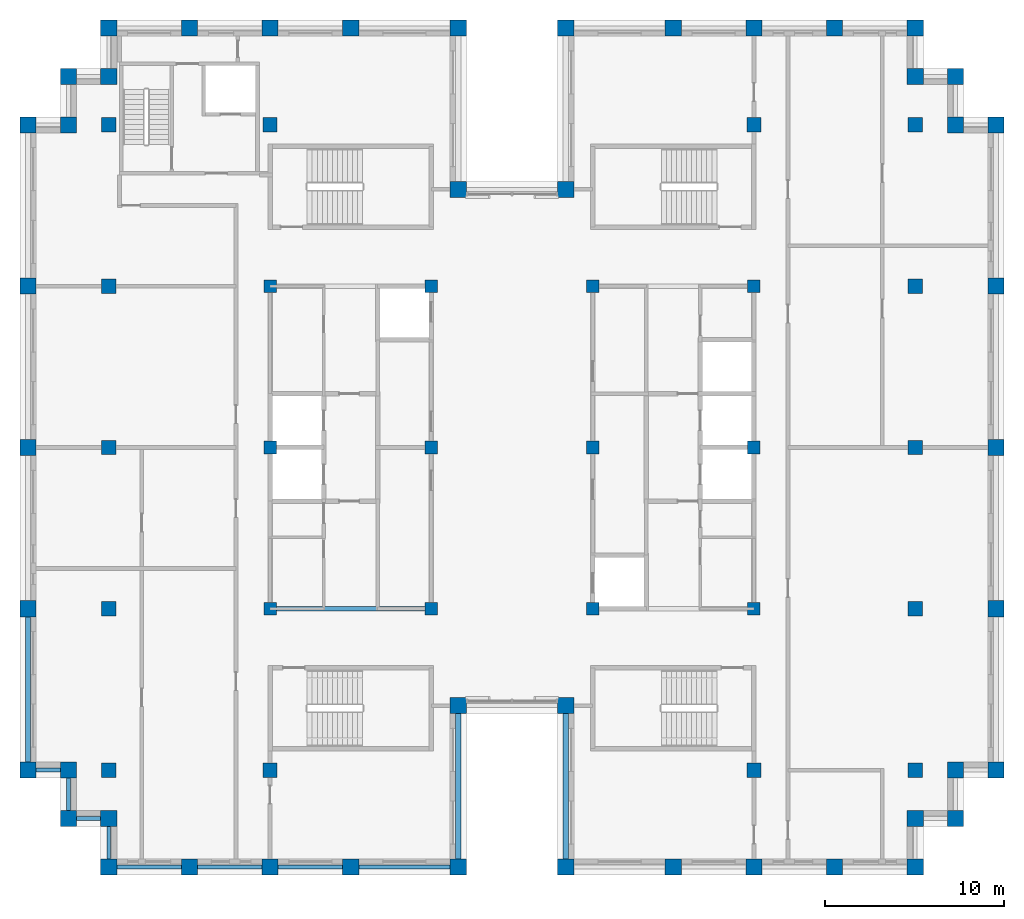
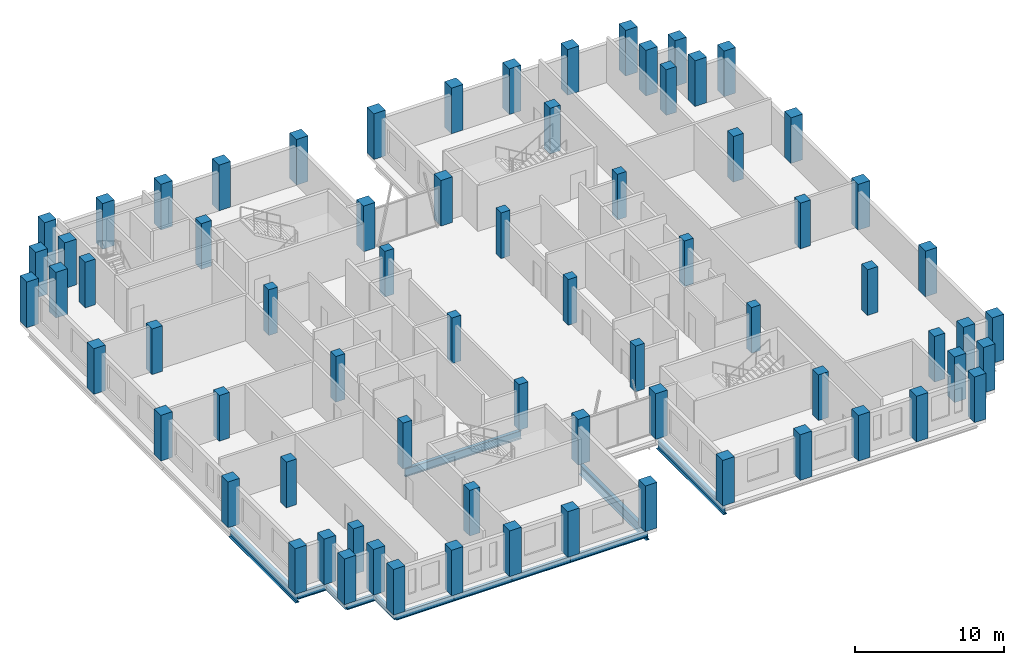
# One storey, part 1 of 13: 72 columns, 12 beams.
"""IFC4 building model written with IfcOpenShell, lengths in metres."""

from ifc_helpers import new_model, si_unit, direction, frame, origin, origin_2d, place, context, subcontext, project, spatial, rectangle, i_section, extrude, material, material_profile, profile_set, type_object, element, save


model = new_model("IFC4")

# Units and contexts
model_context = context("Model", 3, precision=1e-05, world=origin(), true_north=direction((0.0, 1.0)))
body_context = subcontext(model_context, "Body", "Model", "MODEL_VIEW")
ifc_project = project(units=[si_unit("LENGTHUNIT", "METRE"), si_unit("AREAUNIT", "SQUARE_METRE"), si_unit("VOLUMEUNIT", "CUBIC_METRE"), si_unit("PLANEANGLEUNIT", "RADIAN"), si_unit("MASSUNIT", "GRAM", prefix="KILO")], contexts=[model_context])

# Site, building, storey
site_placement = place(None, origin())
site = spatial("IfcSite", under=ifc_project, at=site_placement, CompositionType="ELEMENT")
building_placement = place(site_placement, origin())
building = spatial("IfcBuilding", under=site, at=building_placement, Name="Corbelhall Arena Tower", CompositionType="ELEMENT")
storey_placement = place(building_placement, frame((0.0, 0.0, 312.0)))
storey = spatial("IfcBuildingStorey", under=building, at=storey_placement, Name="L68", CompositionType="ELEMENT", Elevation=312.0)

# Columns
ifc_material_1 = material(Name="Concrete C80/95", Category="concrete")
ifc_material_profile_1 = material_profile(ifc_material_1, rectangle(XDim=0.699951171875, YDim=0.699951171875, at=origin_2d()))
ifc_profile_set_1 = profile_set([ifc_material_profile_1], Name="Concrete C80/95")
column_type_1 = type_object("IfcColumnType", Name="ST-COL-RC 700x700", PredefinedType="COLUMN", material=ifc_profile_set_1)
for number, where, z_axis, x_axis, name in (
    (1, (4.5, 0.0, 0.0), (0.0, 0.0, 1.0), (1.0, 0.0, 0.0), "Column KE+0450+0000"),
    (2, (4.5, 9.0, 0.0), (0.0, 0.0, 1.0), (1.0, 0.0, 0.0), "Column KE+0450+0900"),
    (3, (4.5, -9.0, 0.0), (0.0, 0.0, 1.0), (1.0, 0.0, 0.0), "Column KE+0450-0900"),
    (4, (13.5, 0.0, 0.0), (0.0, 0.0, 1.0), (1.0, 0.0, 0.0), "Column KE+1350+0000"),
    (5, (13.5, 9.0, 0.0), (0.0, 0.0, 1.0), (1.0, 0.0, 0.0), "Column KE+1350+0900"),
    (6, (13.5, -9.0, 0.0), (0.0, 0.0, 1.0), (1.0, 0.0, 0.0), "Column KE+1350-0900"),
    (7, (-4.5, 0.0, 0.0), (0.0, 0.0, 1.0), (1.0, 0.0, 0.0), "Column KW-0450+0000"),
    (8, (-4.5, 9.0, 0.0), (0.0, 0.0, 1.0), (1.0, 0.0, 0.0), "Column KW-0450+0900"),
    (9, (-4.5, -9.0, 0.0), (0.0, 0.0, 1.0), (1.0, 0.0, 0.0), "Column KW-0450-0900"),
    (10, (-13.5, 0.0, 0.0), (0.0, 0.0, 1.0), (1.0, 0.0, 0.0), "Column KW-1350+0000"),
    (11, (-13.5, 9.0, 0.0), (0.0, 0.0, 1.0), (1.0, 0.0, 0.0), "Column KW-1350+0900"),
    (12, (-13.5, -9.0, 0.0), (0.0, 0.0, 1.0), (1.0, 0.0, 0.0), "Column KW-1350-0900"),
):
    element("IfcColumn", number, at=place(storey_placement, frame(where, z_axis=z_axis, x_axis=x_axis)), inside=storey, type_object=column_type_1, Name=name, PredefinedType="COLUMN", context=body_context, shape_type="SweptSolid", body=[
        extrude(rectangle(XDim=0.699951171875, YDim=0.699951171875, at=origin_2d()), origin(), (0.0, 0.0, 1.0), 3.739990234375),
    ])
ifc_material_profile_2 = material_profile(ifc_material_1, rectangle(XDim=0.800048828125, YDim=0.800048828125, at=origin_2d()))
ifc_profile_set_2 = profile_set([ifc_material_profile_2], Name="Concrete C80/95")
column_type_2 = type_object("IfcColumnType", Name="ST-COL-RC 800x800", PredefinedType="COLUMN", material=ifc_profile_set_2)
for number, where, z_axis, x_axis, name in (
    (13, (13.5, 18.0, 0.0), (0.0, 0.0, 1.0), (1.0, 0.0, 0.0), "Column IE13+1800"),
    (14, (13.5, -18.0, 0.0), (0.0, 0.0, 1.0), (1.0, 0.0, 0.0), "Column IE13-1800"),
    (15, (22.5, 0.0, 0.0), (0.0, 0.0, 1.0), (1.0, 0.0, 0.0), "Column IE22+0000"),
    (16, (22.5, 9.0, 0.0), (0.0, 0.0, 1.0), (1.0, 0.0, 0.0), "Column IE22+0900"),
    (17, (22.5, 18.0, 0.0), (0.0, 0.0, 1.0), (1.0, 0.0, 0.0), "Column IE22+1800"),
    (18, (22.5, -9.0, 0.0), (0.0, 0.0, 1.0), (1.0, 0.0, 0.0), "Column IE22-0900"),
    (19, (22.5, -18.0, 0.0), (0.0, 0.0, 1.0), (1.0, 0.0, 0.0), "Column IE22-1800"),
    (20, (-13.5, 18.0, 0.0), (0.0, 0.0, 1.0), (1.0, 0.0, 0.0), "Column IW13+1800"),
    (21, (-13.5, -18.0, 0.0), (0.0, 0.0, 1.0), (1.0, 0.0, 0.0), "Column IW13-1800"),
    (22, (-22.5, 0.0, 0.0), (0.0, 0.0, 1.0), (1.0, 0.0, 0.0), "Column IW22+0000"),
    (23, (-22.5, 9.0, 0.0), (0.0, 0.0, 1.0), (1.0, 0.0, 0.0), "Column IW22+0900"),
    (24, (-22.5, 18.0, 0.0), (0.0, 0.0, 1.0), (1.0, 0.0, 0.0), "Column IW22+1800"),
    (25, (-22.5, -9.0, 0.0), (0.0, 0.0, 1.0), (1.0, 0.0, 0.0), "Column IW22-0900"),
    (26, (-22.5, -18.0, 0.0), (0.0, 0.0, 1.0), (1.0, 0.0, 0.0), "Column IW22-1800"),
):
    element("IfcColumn", number, at=place(storey_placement, frame(where, z_axis=z_axis, x_axis=x_axis)), inside=storey, type_object=column_type_2, Name=name, PredefinedType="COLUMN", context=body_context, shape_type="SweptSolid", body=[
        extrude(rectangle(XDim=0.800048828125, YDim=0.800048828125, at=origin_2d()), origin(), (0.0, 0.0, 1.0), 3.739990234375),
    ])
ifc_material_profile_3 = material_profile(ifc_material_1, rectangle(XDim=0.89990234375, YDim=0.89990234375, at=origin_2d()))
ifc_profile_set_3 = profile_set([ifc_material_profile_3], Name="Concrete C80/95")
column_type_3 = type_object("IfcColumnType", Name="ST-COL-RC 900x900", PredefinedType="COLUMN", material=ifc_profile_set_3)
for number, where, z_axis, x_axis, name in (
    (27, (27.0, 0.0, 0.0), (0.0, 0.0, 1.0), (0.0, 1.0, 0.0), "Column PE+0000"),
    (28, (27.0, 9.0, 0.0), (0.0, 0.0, 1.0), (0.0, 1.0, 0.0), "Column PE+0900"),
    (29, (27.0, 18.0, 0.0), (0.0, 0.0, 1.0), (0.0, 1.0, 0.0), "Column PE+1800"),
    (30, (27.0, -9.0, 0.0), (0.0, 0.0, 1.0), (0.0, 1.0, 0.0), "Column PE-0900"),
    (31, (27.0, -18.0, 0.0), (0.0, 0.0, 1.0), (0.0, 1.0, 0.0), "Column PE-1800"),
    (32, (3.0, 23.39990234375, 0.0), (0.0, 0.0, 1.0), (1.0, 0.0, 0.0), "Column PNE0300"),
    (33, (9.0, 23.39990234375, 0.0), (0.0, 0.0, 1.0), (1.0, 0.0, 0.0), "Column PNE0900"),
    (34, (13.5, 23.39990234375, 0.0), (0.0, 0.0, 1.0), (1.0, 0.0, 0.0), "Column PNE1350"),
    (35, (18.0, 23.39990234375, 0.0), (0.0, 0.0, 1.0), (1.0, 0.0, 0.0), "Column PNE1800"),
    (36, (22.5, 23.39990234375, 0.0), (0.0, 0.0, 1.0), (1.0, 0.0, 0.0), "Column PNE2250"),
    (37, (-3.0, 23.39990234375, 0.0), (0.0, 0.0, 1.0), (1.0, 0.0, 0.0), "Column PNW0300"),
    (38, (-9.0, 23.39990234375, 0.0), (0.0, 0.0, 1.0), (1.0, 0.0, 0.0), "Column PNW0900"),
    (39, (-13.5, 23.39990234375, 0.0), (0.0, 0.0, 1.0), (1.0, 0.0, 0.0), "Column PNW1350"),
    (40, (-18.0, 23.39990234375, 0.0), (0.0, 0.0, 1.0), (1.0, 0.0, 0.0), "Column PNW1800"),
    (41, (-22.5, 23.39990234375, 0.0), (0.0, 0.0, 1.0), (1.0, 0.0, 0.0), "Column PNW2250"),
    (42, (3.0, -23.39990234375, 0.0), (0.0, 0.0, 1.0), (1.0, 0.0, 0.0), "Column PSE0300"),
    (43, (9.0, -23.39990234375, 0.0), (0.0, 0.0, 1.0), (1.0, 0.0, 0.0), "Column PSE0900"),
    (44, (13.5, -23.39990234375, 0.0), (0.0, 0.0, 1.0), (1.0, 0.0, 0.0), "Column PSE1350"),
    (45, (18.0, -23.39990234375, 0.0), (0.0, 0.0, 1.0), (1.0, 0.0, 0.0), "Column PSE1800"),
    (46, (22.5, -23.39990234375, 0.0), (0.0, 0.0, 1.0), (1.0, 0.0, 0.0), "Column PSE2250"),
    (47, (-3.0, -23.39990234375, 0.0), (0.0, 0.0, 1.0), (1.0, 0.0, 0.0), "Column PSW0300"),
    (48, (-9.0, -23.39990234375, 0.0), (0.0, 0.0, 1.0), (1.0, 0.0, 0.0), "Column PSW0900"),
    (49, (-13.5, -23.39990234375, 0.0), (0.0, 0.0, 1.0), (1.0, 0.0, 0.0), "Column PSW1350"),
    (50, (-18.0, -23.39990234375, 0.0), (0.0, 0.0, 1.0), (1.0, 0.0, 0.0), "Column PSW1800"),
    (51, (-22.5, -23.39990234375, 0.0), (0.0, 0.0, 1.0), (1.0, 0.0, 0.0), "Column PSW2250"),
    (52, (-27.0, 0.0, 0.0), (0.0, 0.0, 1.0), (0.0, 1.0, 0.0), "Column PW+0000"),
    (53, (-27.0, 9.0, 0.0), (0.0, 0.0, 1.0), (0.0, 1.0, 0.0), "Column PW+0900"),
    (54, (-27.0, 18.0, 0.0), (0.0, 0.0, 1.0), (0.0, 1.0, 0.0), "Column PW+1800"),
    (55, (-27.0, -9.0, 0.0), (0.0, 0.0, 1.0), (0.0, 1.0, 0.0), "Column PW-0900"),
    (56, (-27.0, -18.0, 0.0), (0.0, 0.0, 1.0), (0.0, 1.0, 0.0), "Column PW-1800"),
    (57, (3.0, 14.39990234375, 0.0), (0.0, 0.0, 1.0), (1.0, 0.0, 0.0), "Column SLNE2"),
    (58, (-3.0, 14.39990234375, 0.0), (0.0, 0.0, 1.0), (1.0, 0.0, 0.0), "Column SLNW2"),
    (59, (3.0, -14.39990234375, 0.0), (0.0, 0.0, 1.0), (1.0, 0.0, 0.0), "Column SLSE2"),
    (60, (-3.0, -14.39990234375, 0.0), (0.0, 0.0, 1.0), (1.0, 0.0, 0.0), "Column SLSW2"),
    (61, (22.5, 20.699951171875, 0.0), (0.0, 0.0, 1.0), (1.0, 0.0, 0.0), "Column XNE1"),
    (62, (24.75, 20.699951171875, 0.0), (0.0, 0.0, 1.0), (1.0, 0.0, 0.0), "Column XNE2"),
    (63, (24.75, 18.0, 0.0), (0.0, 0.0, 1.0), (1.0, 0.0, 0.0), "Column XNE3"),
    (64, (-22.5, 20.699951171875, 0.0), (0.0, 0.0, 1.0), (1.0, 0.0, 0.0), "Column XNW1"),
    (65, (-24.75, 20.699951171875, 0.0), (0.0, 0.0, 1.0), (1.0, 0.0, 0.0), "Column XNW2"),
    (66, (-24.75, 18.0, 0.0), (0.0, 0.0, 1.0), (1.0, 0.0, 0.0), "Column XNW3"),
    (67, (22.5, -20.699951171875, 0.0), (0.0, 0.0, 1.0), (1.0, 0.0, 0.0), "Column XSE1"),
    (68, (24.75, -20.699951171875, 0.0), (0.0, 0.0, 1.0), (1.0, 0.0, 0.0), "Column XSE2"),
    (69, (24.75, -18.0, 0.0), (0.0, 0.0, 1.0), (1.0, 0.0, 0.0), "Column XSE3"),
    (70, (-22.5, -20.699951171875, 0.0), (0.0, 0.0, 1.0), (1.0, 0.0, 0.0), "Column XSW1"),
    (71, (-24.75, -20.699951171875, 0.0), (0.0, 0.0, 1.0), (1.0, 0.0, 0.0), "Column XSW2"),
    (72, (-24.75, -18.0, 0.0), (0.0, 0.0, 1.0), (1.0, 0.0, 0.0), "Column XSW3"),
):
    element("IfcColumn", number, at=place(storey_placement, frame(where, z_axis=z_axis, x_axis=x_axis)), inside=storey, type_object=column_type_3, Name=name, PredefinedType="COLUMN", context=body_context, shape_type="SweptSolid", body=[
        extrude(rectangle(XDim=0.89990234375, YDim=0.89990234375, at=origin_2d()), origin(), (0.0, 0.0, 1.0), 3.739990234375),
    ])

# Beams
ifc_material_2 = material(Name="Steel ASTM A992 Gr50", Category="steel")
ifc_material_profile_4 = material_profile(ifc_material_2, i_section(OverallWidth=0.25390625, OverallDepth=0.67822265625, WebThickness=0.01171875, FlangeThickness=0.016357421875, at=origin_2d()))
ifc_profile_set_4 = profile_set([ifc_material_profile_4], Name="Steel ASTM A992 Gr50")
beam_type_1 = type_object("IfcBeamType", Name="ST-BEAM-W27x84", PredefinedType="BEAM", material=ifc_profile_set_4)
beam_1_placement = place(storey_placement, frame((-13.5, -9.0, -0.59912109375), z_axis=(1.0, 0.0, 0.0), x_axis=(0.0, 1.0, 0.0)))
element("IfcBeam", 73, at=beam_1_placement, inside=storey, type_object=beam_type_1, Name="Beam CEW 5", PredefinedType="BEAM", context=body_context, shape_type="SweptSolid", body=[
    extrude(i_section(OverallWidth=0.25390625, OverallDepth=0.67822265625, WebThickness=0.01171875, FlangeThickness=0.016357421875, at=origin_2d()), origin(), (0.0, 0.0, 1.0), 9.0),
])
ifc_material_profile_5 = material_profile(ifc_material_2, i_section(OverallWidth=0.209228515625, OverallDepth=0.533447265625, WebThickness=0.01025390625, FlangeThickness=0.015625, at=origin_2d()))
ifc_profile_set_5 = profile_set([ifc_material_profile_5], Name="Steel ASTM A992 Gr50")
beam_type_2 = type_object("IfcBeamType", Name="ST-SPANDREL-W21x62", PredefinedType="SPANDREL", material=ifc_profile_set_5)
beam_2_placement = place(storey_placement, frame((-3.0, -23.39990234375, -0.526611328125), z_axis=(-1.0, 0.0, 0.0), x_axis=(0.0, -1.0, 0.0)))
element("IfcBeam", 74, at=beam_2_placement, inside=storey, type_object=beam_type_2, Name="Beam SP 21", PredefinedType="SPANDREL", context=body_context, shape_type="SweptSolid", body=[
    extrude(i_section(OverallWidth=0.209228515625, OverallDepth=0.533447265625, WebThickness=0.01025390625, FlangeThickness=0.015625, at=origin_2d()), origin(), (0.0, 0.0, 1.0), 6.0),
])
for number, where, z_axis, x_axis, name in (
    (75, (-9.0, -23.39990234375, -0.526611328125), (-1.0, 0.0, 0.0), (0.0, -1.0, 0.0), "Beam SP 22"),
    (76, (-13.5, -23.39990234375, -0.526611328125), (-1.0, 0.0, 0.0), (0.0, -1.0, 0.0), "Beam SP 23"),
    (77, (-18.0, -23.39990234375, -0.526611328125), (-1.0, 0.0, 0.0), (0.0, -1.0, 0.0), "Beam SP 24"),
):
    element("IfcBeam", number, at=place(storey_placement, frame(where, z_axis=z_axis, x_axis=x_axis)), inside=storey, type_object=beam_type_2, Name=name, PredefinedType="SPANDREL", context=body_context, shape_type="SweptSolid", body=[
        extrude(i_section(OverallWidth=0.209228515625, OverallDepth=0.533447265625, WebThickness=0.01025390625, FlangeThickness=0.015625, at=origin_2d()), origin(), (0.0, 0.0, 1.0), 4.5),
    ])
beam_3_placement = place(storey_placement, frame((-22.5, -23.39990234375, -0.526611328125), z_axis=(0.0, 1.0, 0.0), x_axis=(-1.0, 0.0, 0.0)))
element("IfcBeam", 78, at=beam_3_placement, inside=storey, type_object=beam_type_2, Name="Beam SP 25", PredefinedType="SPANDREL", context=body_context, shape_type="SweptSolid", body=[
    extrude(i_section(OverallWidth=0.209228515625, OverallDepth=0.533447265625, WebThickness=0.01025390625, FlangeThickness=0.015625, at=origin_2d()), origin(), (0.0, 0.0, 1.0), 2.699951171875),
])
beam_4_placement = place(storey_placement, frame((-22.5, -20.699951171875, -0.526611328125), z_axis=(-1.0, 0.0, 0.0), x_axis=(0.0, -1.0, 0.0)))
element("IfcBeam", 79, at=beam_4_placement, inside=storey, type_object=beam_type_2, Name="Beam SP 44", PredefinedType="SPANDREL", context=body_context, shape_type="SweptSolid", body=[
    extrude(i_section(OverallWidth=0.209228515625, OverallDepth=0.533447265625, WebThickness=0.01025390625, FlangeThickness=0.015625, at=origin_2d()), origin(), (0.0, 0.0, 1.0), 2.25),
])
beam_5_placement = place(storey_placement, frame((-24.75, -20.699951171875, -0.526611328125), z_axis=(0.0, 1.0, 0.0), x_axis=(-1.0, 0.0, 0.0)))
element("IfcBeam", 80, at=beam_5_placement, inside=storey, type_object=beam_type_2, Name="Beam SP 45", PredefinedType="SPANDREL", context=body_context, shape_type="SweptSolid", body=[
    extrude(i_section(OverallWidth=0.209228515625, OverallDepth=0.533447265625, WebThickness=0.01025390625, FlangeThickness=0.015625, at=origin_2d()), origin(), (0.0, 0.0, 1.0), 2.699951171875),
])
beam_6_placement = place(storey_placement, frame((-24.75, -18.0, -0.526611328125), z_axis=(-1.0, 0.0, 0.0), x_axis=(0.0, -1.0, 0.0)))
element("IfcBeam", 81, at=beam_6_placement, inside=storey, type_object=beam_type_2, Name="Beam SP 46", PredefinedType="SPANDREL", context=body_context, shape_type="SweptSolid", body=[
    extrude(i_section(OverallWidth=0.209228515625, OverallDepth=0.533447265625, WebThickness=0.01025390625, FlangeThickness=0.015625, at=origin_2d()), origin(), (0.0, 0.0, 1.0), 2.25),
])
ifc_material_profile_6 = material_profile(ifc_material_2, i_section(OverallWidth=0.2919921875, OverallDepth=0.845703125, WebThickness=0.015380859375, FlangeThickness=0.0244140625, at=origin_2d()))
ifc_profile_set_6 = profile_set([ifc_material_profile_6], Name="Steel ASTM A992 Gr50")
beam_type_3 = type_object("IfcBeamType", Name="ST-SPANDREL-W33x141", PredefinedType="SPANDREL", material=ifc_profile_set_6)
for number, where, z_axis, x_axis, name in (
    (82, (3.0, -23.39990234375, -0.682861328125), (0.0, 1.0, 0.0), (-1.0, 0.0, 0.0), "Beam SP 16"),
    (83, (-27.0, -18.0, -0.682861328125), (0.0, 1.0, 0.0), (-1.0, 0.0, 0.0), "Beam SP 30"),
    (84, (-3.0, -14.39990234375, -0.682861328125), (0.0, -1.0, 0.0), (1.0, 0.0, 0.0), "Beam SP 34"),
):
    element("IfcBeam", number, at=place(storey_placement, frame(where, z_axis=z_axis, x_axis=x_axis)), inside=storey, type_object=beam_type_3, Name=name, PredefinedType="SPANDREL", context=body_context, shape_type="SweptSolid", body=[
        extrude(i_section(OverallWidth=0.2919921875, OverallDepth=0.845703125, WebThickness=0.015380859375, FlangeThickness=0.0244140625, at=origin_2d()), origin(), (0.0, 0.0, 1.0), 9.0),
    ])

save(model, "model.ifc")
